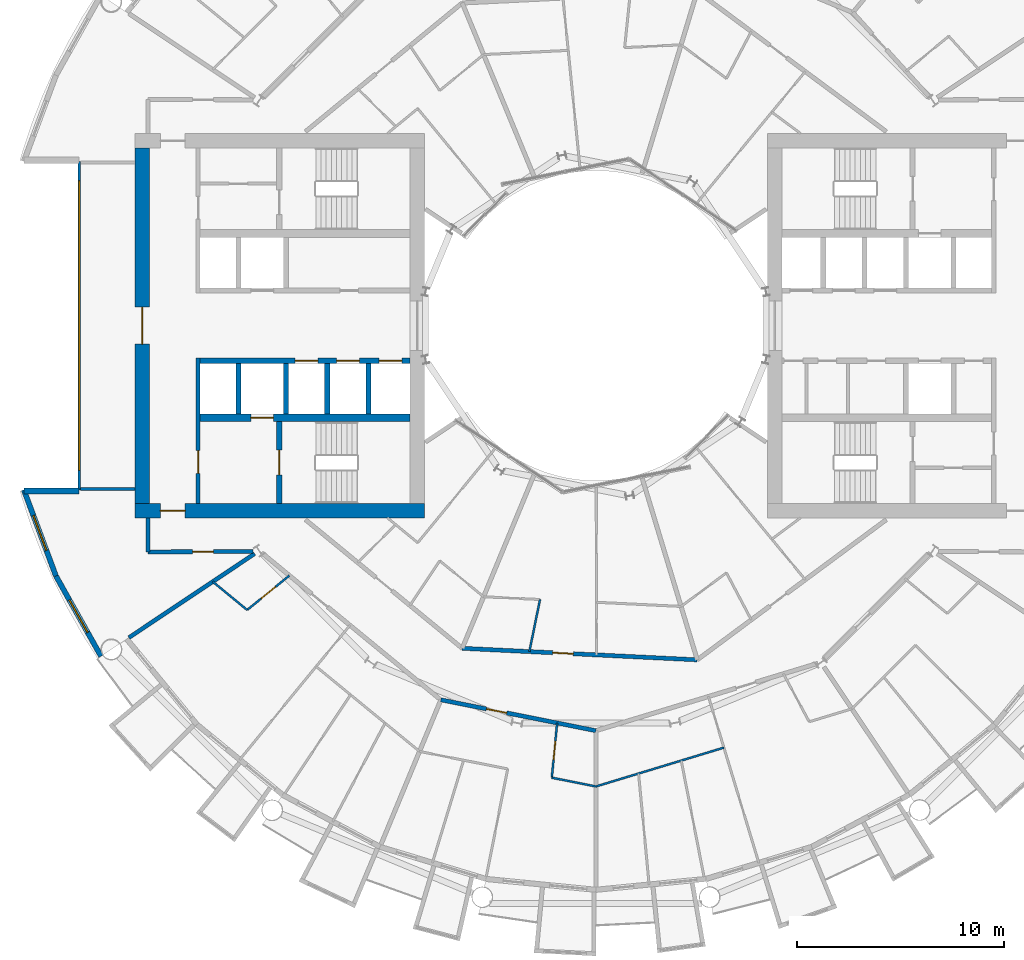
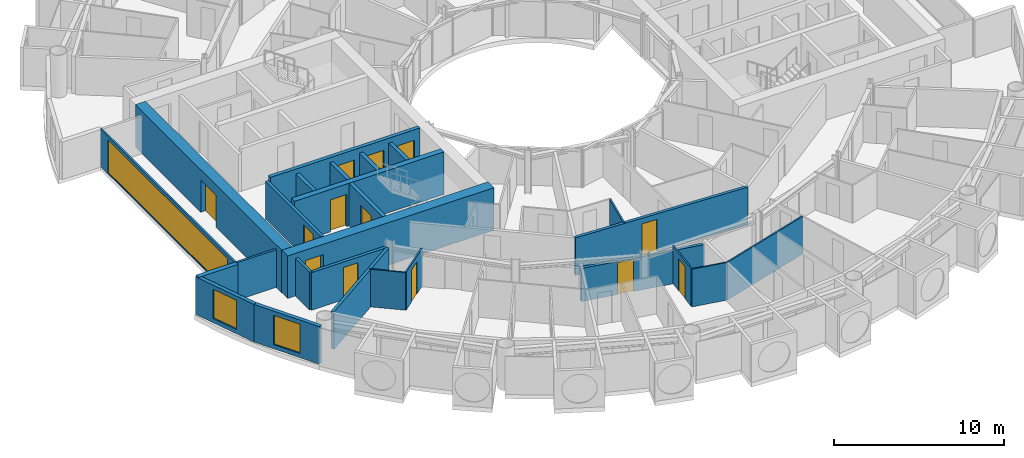
# One storey, part 14 of 26: 26 walls, 13 doors, 3 windows, 16 openings.
"""IFC4 building model written with IfcOpenShell, lengths in metres."""

from ifc_helpers import new_model, si_unit, direction, frame, frame_2d, origin, place, context, subcontext, project, spatial, rectangle, extrude, material, layer, layer_set, type_object, element, fill, save


model = new_model("IFC4")

# Units and contexts
model_context = context("Model", 3, precision=1e-05, world=origin(), true_north=direction((0.0, 1.0)))
body_context = subcontext(model_context, "Body", "Model", "MODEL_VIEW")
ifc_project = project(units=[si_unit("LENGTHUNIT", "METRE"), si_unit("AREAUNIT", "SQUARE_METRE"), si_unit("VOLUMEUNIT", "CUBIC_METRE"), si_unit("PLANEANGLEUNIT", "RADIAN"), si_unit("MASSUNIT", "GRAM", prefix="KILO")], contexts=[model_context])

# Site, building, storey
site_placement = place(None, origin())
site = spatial("IfcSite", under=ifc_project, at=site_placement, CompositionType="ELEMENT")
building_placement = place(site_placement, origin())
building = spatial("IfcBuilding", under=site, at=building_placement, Name="Maasbend Ring Residences", CompositionType="ELEMENT")
storey_placement = place(building_placement, frame((0.0, 0.0, 69.699951171875)))
storey = spatial("IfcBuildingStorey", under=building, at=storey_placement, Name="L19", CompositionType="ELEMENT", Elevation=69.699951171875)

# Wall, openings, doors
ifc_material_1 = material(Name="Concrete C70/85", Category="concrete")
ifc_layer_1 = layer(ifc_material_1, 0.25)
ifc_layer_set_1 = layer_set([ifc_layer_1], Name="Concrete C70/85")
wall_type_1 = type_object("IfcWallType", Name="CORE WALL 250 C70/85", PredefinedType="SHEAR", material=ifc_layer_set_1)
wall_1_placement = place(storey_placement, frame((-9.0, -1.699951171875, 0.0), z_axis=(0.0, 0.0, 1.0), x_axis=(-1.0, 0.0, 0.0)))
wall_1 = element("IfcWall", 1, at=wall_1_placement, inside=storey, type_object=wall_type_1, Name="L19 core W wall SPN", PredefinedType="SHEAR", context=body_context, shape_type="SweptSolid", body=[
    extrude(rectangle(XDim=10.14990234375, YDim=0.25, at=frame_2d((5.074951171875, 0.0))), origin(), (0.0, 0.0, 1.0), 3.050048828125),
])
opening_1_placement = place(wall_1_placement, frame((0.387451171875, 0.0, 0.0)))
opening_1 = element("IfcOpeningElement", 2, at=opening_1_placement, cuts=wall_1, Name="Opening LD-W1901", PredefinedType="OPENING", context=body_context, shape_type="SweptSolid", body=[
    extrude(rectangle(XDim=1.10009765625, YDim=2.300048828125, at=frame_2d((0.550048828125, 1.14990234375))), frame((0.0, 0.135009765625, 0.0), z_axis=(0.0, -1.0, 0.0), x_axis=(1.0, 0.0, 0.0)), (0.0, 0.0, 1.0), 0.27001953125),
])
opening_2_placement = place(wall_1_placement, frame((2.449951171875, 0.0, 0.0)))
opening_2 = element("IfcOpeningElement", 3, at=opening_2_placement, cuts=wall_1, Name="Opening LD-W1902", PredefinedType="OPENING", context=body_context, shape_type="SweptSolid", body=[
    extrude(rectangle(XDim=1.10009765625, YDim=2.300048828125, at=frame_2d((0.550048828125, 1.14990234375))), frame((0.0, 0.135009765625, 0.0), z_axis=(0.0, -1.0, 0.0), x_axis=(1.0, 0.0, 0.0)), (0.0, 0.0, 1.0), 0.27001953125),
])
opening_3_placement = place(wall_1_placement, frame((4.449951171875, 0.0, 0.0)))
opening_3 = element("IfcOpeningElement", 4, at=opening_3_placement, cuts=wall_1, Name="Opening LD-W1903", PredefinedType="OPENING", context=body_context, shape_type="SweptSolid", body=[
    extrude(rectangle(XDim=1.10009765625, YDim=2.300048828125, at=frame_2d((0.550048828125, 1.14990234375))), frame((0.0, 0.135009765625, 0.0), z_axis=(0.0, -1.0, 0.0), x_axis=(1.0, 0.0, 0.0)), (0.0, 0.0, 1.0), 0.27001953125),
])
ifc_material_2 = material(Name="Stainless steel 316", Category="steel")
door_type_1 = type_object("IfcDoorType", Name="LANDING DOOR 1100 X 2300 FD60", OperationType="DOUBLE_DOOR_SLIDING", PredefinedType="DOOR", material=ifc_material_2)
door_1_placement = place(opening_1_placement, origin())
door_1 = element("IfcDoor", 5, at=door_1_placement, inside=storey, type_object=door_type_1, Name="Landing door LR-W1 L19", OperationType="DOUBLE_DOOR_SLIDING", OverallHeight=2.300048828125, OverallWidth=1.10009765625, PredefinedType="DOOR", context=body_context, shape_type="SweptSolid", body=[
    extrude(rectangle(XDim=1.10009765625, YDim=2.300048828125, at=frame_2d((0.550048828125, 1.14990234375))), frame((0.0, 0.02490234375, 0.0), z_axis=(0.0, -1.0, 0.0), x_axis=(1.0, 0.0, 0.0)), (0.0, 0.0, 1.0), 0.050048828125),
])
fill(opening_1, door_1)
door_2_placement = place(opening_2_placement, origin())
door_2 = element("IfcDoor", 6, at=door_2_placement, inside=storey, type_object=door_type_1, Name="Landing door LR-W2 L19", OperationType="DOUBLE_DOOR_SLIDING", OverallHeight=2.300048828125, OverallWidth=1.10009765625, PredefinedType="DOOR", context=body_context, shape_type="SweptSolid", body=[
    extrude(rectangle(XDim=1.10009765625, YDim=2.300048828125, at=frame_2d((0.550048828125, 1.14990234375))), frame((0.0, 0.02490234375, 0.0), z_axis=(0.0, -1.0, 0.0), x_axis=(1.0, 0.0, 0.0)), (0.0, 0.0, 1.0), 0.050048828125),
])
fill(opening_2, door_2)
door_3_placement = place(opening_3_placement, origin())
door_3 = element("IfcDoor", 7, at=door_3_placement, inside=storey, type_object=door_type_1, Name="Landing door LR-W3 L19", OperationType="DOUBLE_DOOR_SLIDING", OverallHeight=2.300048828125, OverallWidth=1.10009765625, PredefinedType="DOOR", context=body_context, shape_type="SweptSolid", body=[
    extrude(rectangle(XDim=1.10009765625, YDim=2.300048828125, at=frame_2d((0.550048828125, 1.14990234375))), frame((0.0, 0.02490234375, 0.0), z_axis=(0.0, -1.0, 0.0), x_axis=(1.0, 0.0, 0.0)), (0.0, 0.0, 1.0), 0.050048828125),
])
fill(opening_3, door_3)

# Wall, opening, door
wall_2_placement = place(storey_placement, frame((-15.324951171875, -4.64990234375, 0.0), z_axis=(0.0, 0.0, 1.0), x_axis=(0.0, -1.0, 0.0)))
wall_2 = element("IfcWall", 8, at=wall_2_placement, inside=storey, type_object=wall_type_1, Name="L19 core W wall STEN", PredefinedType="SHEAR", context=body_context, shape_type="SweptSolid", body=[
    extrude(rectangle(XDim=3.9501953125, YDim=0.25, at=frame_2d((1.97509765625, 0.0))), origin(), (0.0, 0.0, 1.0), 3.050048828125),
])
opening_4_placement = place(wall_2_placement, frame((1.375, 0.0, 0.0)))
opening_4 = element("IfcOpeningElement", 9, at=opening_4_placement, cuts=wall_2, Name="Opening D-W1908", PredefinedType="OPENING", context=body_context, shape_type="SweptSolid", body=[
    extrude(rectangle(XDim=1.199951171875, YDim=2.300048828125, at=frame_2d((0.60009765625, 1.14990234375))), frame((0.0, 0.135009765625, 0.0), z_axis=(0.0, -1.0, 0.0), x_axis=(1.0, 0.0, 0.0)), (0.0, 0.0, 1.0), 0.27001953125),
])
ifc_material_3 = material(Name="Steel, powder coated", Category="steel")
door_type_2 = type_object("IfcDoorType", Name="STAIR DOOR 1200 X 2300 FD60", OperationType="NOTDEFINED", PredefinedType="DOOR", material=ifc_material_3)
door_4_placement = place(opening_4_placement, origin())
door_4 = element("IfcDoor", 10, at=door_4_placement, inside=storey, type_object=door_type_2, Name="Stair door ST-W L19", OperationType="SINGLE_SWING_LEFT", OverallHeight=2.300048828125, OverallWidth=1.199951171875, PredefinedType="DOOR", context=body_context, shape_type="SweptSolid", body=[
    extrude(rectangle(XDim=1.199951171875, YDim=2.300048828125, at=frame_2d((0.60009765625, 1.14990234375))), frame((0.0, 0.02490234375, 0.0), z_axis=(0.0, -1.0, 0.0), x_axis=(1.0, 0.0, 0.0)), (0.0, 0.0, 1.0), 0.050048828125),
])
fill(opening_4, door_4)

ifc_material_4 = material(Name="Concrete C70/85", Category="concrete")
ifc_layer_2 = layer(ifc_material_4, 0.375)
ifc_layer_set_2 = layer_set([ifc_layer_2], Name="Concrete C70/85")
wall_type_2 = type_object("IfcWallType", Name="CORE WALL 375 C70/85", PredefinedType="SHEAR", material=ifc_layer_set_2)
wall_3_placement = place(storey_placement, frame((-9.0, -4.46240234375, 0.0), z_axis=(0.0, 0.0, 1.0), x_axis=(-1.0, 0.0, 0.0)))
wall_3 = element("IfcWall", 11, at=wall_3_placement, inside=storey, type_object=wall_type_2, Name="L19 core W wall BN", PredefinedType="SHEAR", context=body_context, shape_type="SweptSolid", body=[
    extrude(rectangle(XDim=10.14990234375, YDim=0.375, at=frame_2d((5.074951171875, 0.0))), origin(), (0.0, 0.0, 1.0), 3.050048828125),
])
opening_5_placement = place(wall_3_placement, frame((6.60009765625, 0.0, 0.0)))
opening_5 = element("IfcOpeningElement", 12, at=opening_5_placement, cuts=wall_3, Name="Opening LD-W1904", PredefinedType="OPENING", context=body_context, shape_type="SweptSolid", body=[
    extrude(rectangle(XDim=1.10009765625, YDim=2.300048828125, at=frame_2d((0.550048828125, 1.14990234375))), frame((0.0, 0.197509765625, 0.0), z_axis=(0.0, -1.0, 0.0), x_axis=(1.0, 0.0, 0.0)), (0.0, 0.0, 1.0), 0.39501953125),
])
door_5_placement = place(opening_5_placement, origin())
door_5 = element("IfcDoor", 13, at=door_5_placement, inside=storey, type_object=door_type_1, Name="Landing door FF-W L19", OperationType="DOUBLE_DOOR_SLIDING", OverallHeight=2.300048828125, OverallWidth=1.10009765625, PredefinedType="DOOR", context=body_context, shape_type="SweptSolid", body=[
    extrude(rectangle(XDim=1.10009765625, YDim=2.300048828125, at=frame_2d((0.550048828125, 1.14990234375))), frame((0.0, 0.02490234375, 0.0), z_axis=(0.0, -1.0, 0.0), x_axis=(1.0, 0.0, 0.0)), (0.0, 0.0, 1.0), 0.050048828125),
])
fill(opening_5, door_5)

ifc_material_5 = material(Name="Concrete C70/85", Category="concrete")
ifc_layer_3 = layer(ifc_material_5, 0.699951171875)
ifc_layer_set_3 = layer_set([ifc_layer_3], Name="Concrete C70/85")
wall_type_3 = type_object("IfcWallType", Name="CORE WALL 700 C70/85", PredefinedType="SHEAR", material=ifc_layer_set_3)
wall_4_placement = place(storey_placement, frame((-22.300048828125, -8.949951171875, 0.0), z_axis=(0.0, 0.0, 1.0), x_axis=(1.0, 0.0, 0.0)))
wall_4 = element("IfcWall", 14, at=wall_4_placement, inside=storey, type_object=wall_type_3, Name="L19 core W wall PN", PredefinedType="SHEAR", context=body_context, shape_type="SweptSolid", body=[
    extrude(rectangle(XDim=14.0, YDim=0.699951171875, at=frame_2d((7.0, 0.0))), origin(), (0.0, 0.0, 1.0), 3.050048828125),
])
opening_6_placement = place(wall_4_placement, frame((1.22509765625, 0.0, 0.0)))
opening_6 = element("IfcOpeningElement", 15, at=opening_6_placement, cuts=wall_4, Name="Opening D-W1912", PredefinedType="OPENING", context=body_context, shape_type="SweptSolid", body=[
    extrude(rectangle(XDim=1.199951171875, YDim=2.300048828125, at=frame_2d((0.60009765625, 1.14990234375))), frame((0.0, 0.35986328125, 0.0), z_axis=(0.0, -1.0, 0.0), x_axis=(1.0, 0.0, 0.0)), (0.0, 0.0, 1.0), 0.719970703125),
])
ifc_material_6 = material(Name="Steel, powder coated", Category="steel")
door_type_3 = type_object("IfcDoorType", Name="CORRIDOR DOOR 1200 X 2300 FD30S", OperationType="NOTDEFINED", PredefinedType="DOOR", material=ifc_material_6)
door_6_placement = place(opening_6_placement, origin())
door_6 = element("IfcDoor", 16, at=door_6_placement, inside=storey, type_object=door_type_3, Name="Corridor door L19", OperationType="SINGLE_SWING_RIGHT", OverallHeight=2.300048828125, OverallWidth=1.199951171875, PredefinedType="DOOR", context=body_context, shape_type="SweptSolid", body=[
    extrude(rectangle(XDim=1.199951171875, YDim=2.300048828125, at=frame_2d((0.60009765625, 1.14990234375))), frame((0.0, 0.02490234375, 0.0), z_axis=(0.0, -1.0, 0.0), x_axis=(1.0, 0.0, 0.0)), (0.0, 0.0, 1.0), 0.050048828125),
])
fill(opening_6, door_6)

wall_5_placement = place(storey_placement, frame((-21.949951171875, -8.60009765625, 0.0), z_axis=(0.0, 0.0, 1.0), x_axis=(0.0, 1.0, 0.0)))
wall_5 = element("IfcWall", 17, at=wall_5_placement, inside=storey, type_object=wall_type_3, Name="L19 core W wall POUT", PredefinedType="SHEAR", context=body_context, shape_type="SweptSolid", body=[
    extrude(rectangle(XDim=17.2001953125, YDim=0.699951171875, at=frame_2d((8.60009765625, 0.0))), origin(), (0.0, 0.0, 1.0), 3.050048828125),
])
opening_7_placement = place(wall_5_placement, frame((7.699951171875, 0.0, 0.0)))
opening_7 = element("IfcOpeningElement", 18, at=opening_7_placement, cuts=wall_5, Name="Opening D-W1914", PredefinedType="OPENING", context=body_context, shape_type="SweptSolid", body=[
    extrude(rectangle(XDim=1.800048828125, YDim=2.300048828125, at=frame_2d((0.89990234375, 1.14990234375))), frame((0.0, 0.35986328125, 0.0), z_axis=(0.0, -1.0, 0.0), x_axis=(1.0, 0.0, 0.0)), (0.0, 0.0, 1.0), 0.719970703125),
])
ifc_material_7 = material(Name="Aluminium frame, clear glass", Category="aluminium")
door_type_4 = type_object("IfcDoorType", Name="ENTRANCE DOOR 1800 X 2300 FD60", OperationType="NOTDEFINED", PredefinedType="DOOR", material=ifc_material_7)
door_7_placement = place(opening_7_placement, origin())
door_7 = element("IfcDoor", 19, at=door_7_placement, inside=storey, type_object=door_type_4, Name="Lobby glazed door L19", OperationType="SINGLE_SWING_LEFT", OverallHeight=2.300048828125, OverallWidth=1.800048828125, PredefinedType="DOOR", context=body_context, shape_type="SweptSolid", body=[
    extrude(rectangle(XDim=1.800048828125, YDim=2.300048828125, at=frame_2d((0.89990234375, 1.14990234375))), frame((0.0, 0.02490234375, 0.0), z_axis=(0.0, -1.0, 0.0), x_axis=(1.0, 0.0, 0.0)), (0.0, 0.0, 1.0), 0.050048828125),
])
fill(opening_7, door_7)

ifc_material_8 = material(Name="Concrete C30/37", Category="concrete")
ifc_layer_4 = layer(ifc_material_8, 0.199951171875)
ifc_layer_set_4 = layer_set([ifc_layer_4], Name="Concrete C30/37")
wall_type_4 = type_object("IfcWallType", Name="CORRIDOR WALL 200 CONCRETE", PredefinedType="PARTITIONING", material=ifc_layer_set_4)
wall_6_placement = place(storey_placement, frame((-7.5009765625, -18.10791015625, 0.0), z_axis=(0.0, 0.0, 1.0), x_axis=(0.980781515054, -0.195109250749, 0.0)))
wall_6 = element("IfcWall", 20, at=wall_6_placement, inside=storey, type_object=wall_type_4, Name="U-L19-w011", PredefinedType="PARTITIONING", context=body_context, shape_type="SweptSolid", body=[
    extrude(rectangle(XDim=7.64794921875, YDim=0.199951171875, at=frame_2d((3.823974609375, 0.0))), origin(), (0.0, 0.0, 1.0), 2.380126953125),
])
opening_8_placement = place(wall_6_placement, frame((2.25, 0.0, 0.0)))
opening_8 = element("IfcOpeningElement", 21, at=opening_8_placement, cuts=wall_6, Name="Opening D-1939", PredefinedType="OPENING", context=body_context, shape_type="SweptSolid", body=[
    extrude(rectangle(XDim=1.0, YDim=2.300048828125, at=frame_2d((0.5, 1.14990234375))), frame((0.0, 0.10986328125, 0.0), z_axis=(0.0, -1.0, 0.0), x_axis=(1.0, 0.0, 0.0)), (0.0, 0.0, 1.0), 0.219970703125),
])
ifc_material_9 = material(Name="Timber, fire-rated, painted", Category="wood")
door_type_5 = type_object("IfcDoorType", Name="FLAT ENTRANCE DOOR 1000 X 2300 FIRE-RATED", OperationType="NOTDEFINED", PredefinedType="DOOR", material=ifc_material_9)
door_8_placement = place(opening_8_placement, origin())
door_8 = element("IfcDoor", 22, at=door_8_placement, inside=storey, type_object=door_type_5, Name="D-1939", OperationType="SINGLE_SWING_LEFT", OverallHeight=2.300048828125, OverallWidth=1.0, PredefinedType="DOOR", context=body_context, shape_type="SweptSolid", body=[
    extrude(rectangle(XDim=1.0, YDim=2.300048828125, at=frame_2d((0.5, 1.14990234375))), frame((0.0, 0.02490234375, 0.0), z_axis=(0.0, -1.0, 0.0), x_axis=(1.0, 0.0, 0.0)), (0.0, 0.0, 1.0), 0.050048828125),
])
fill(opening_8, door_8)

wall_7_placement = place(storey_placement, frame((-6.468994140625, -15.614013671875, 0.0), z_axis=(0.0, 0.0, 1.0), x_axis=(0.998798520108, -0.049005267363, 0.0)))
wall_7 = element("IfcWall", 23, at=wall_7_placement, inside=storey, type_object=wall_type_4, Name="U-L19-w016", PredefinedType="PARTITIONING", context=body_context, shape_type="SweptSolid", body=[
    extrude(rectangle(XDim=11.388671875, YDim=0.199951171875, at=frame_2d((5.6943359375, 0.0))), origin(), (0.0, 0.0, 1.0), 2.699951171875),
])
opening_9_placement = place(wall_7_placement, frame((4.383056640625, 0.0, 0.0)))
opening_9 = element("IfcOpeningElement", 24, at=opening_9_placement, cuts=wall_7, Name="Opening D-1957", PredefinedType="OPENING", context=body_context, shape_type="SweptSolid", body=[
    extrude(rectangle(XDim=1.0, YDim=2.300048828125, at=frame_2d((0.5, 1.14990234375))), frame((0.0, 0.10986328125, 0.0), z_axis=(0.0, -1.0, 0.0), x_axis=(1.0, 0.0, 0.0)), (0.0, 0.0, 1.0), 0.219970703125),
])
door_9_placement = place(opening_9_placement, origin())
door_9 = element("IfcDoor", 25, at=door_9_placement, inside=storey, type_object=door_type_5, Name="D-1957", OperationType="SINGLE_SWING_LEFT", OverallHeight=2.300048828125, OverallWidth=1.0, PredefinedType="DOOR", context=body_context, shape_type="SweptSolid", body=[
    extrude(rectangle(XDim=1.0, YDim=2.300048828125, at=frame_2d((0.5, 1.14990234375))), frame((0.0, 0.02490234375, 0.0), z_axis=(0.0, -1.0, 0.0), x_axis=(1.0, 0.0, 0.0)), (0.0, 0.0, 1.0), 0.050048828125),
])
fill(opening_9, door_9)

wall_8_placement = place(storey_placement, frame((-21.675048828125, -10.949951171875, 0.0), z_axis=(0.0, 0.0, 1.0), x_axis=(0.999988944514, 0.004702217579, 0.0)))
wall_8 = element("IfcWall", 26, at=wall_8_placement, inside=storey, type_object=wall_type_4, Name="U-L19-w024", PredefinedType="PARTITIONING", context=body_context, shape_type="SweptSolid", body=[
    extrude(rectangle(XDim=5.088134765625, YDim=0.199951171875, at=frame_2d((2.5439453125, 0.0))), origin(), (0.0, 0.0, 1.0), 2.699951171875),
])
opening_10_placement = place(wall_8_placement, frame((2.162109375, 0.0, 0.0)))
opening_10 = element("IfcOpeningElement", 27, at=opening_10_placement, cuts=wall_8, Name="Opening D-1965", PredefinedType="OPENING", context=body_context, shape_type="SweptSolid", body=[
    extrude(rectangle(XDim=1.0, YDim=2.300048828125, at=frame_2d((0.5, 1.14990234375))), frame((0.0, 0.10986328125, 0.0), z_axis=(0.0, -1.0, 0.0), x_axis=(1.0, 0.0, 0.0)), (0.0, 0.0, 1.0), 0.219970703125),
])
ifc_material_10 = material(Name="Timber, painted", Category="wood")
door_type_6 = type_object("IfcDoorType", Name="ROOM DOOR 1000 X 2300", OperationType="NOTDEFINED", PredefinedType="DOOR", material=ifc_material_10)
door_10_placement = place(opening_10_placement, origin())
door_10 = element("IfcDoor", 28, at=door_10_placement, inside=storey, type_object=door_type_6, Name="D-1965", OperationType="SINGLE_SWING_RIGHT", OverallHeight=2.300048828125, OverallWidth=1.0, PredefinedType="DOOR", context=body_context, shape_type="SweptSolid", body=[
    extrude(rectangle(XDim=1.0, YDim=2.300048828125, at=frame_2d((0.5, 1.14990234375))), frame((0.0, 0.02490234375, 0.0), z_axis=(0.0, -1.0, 0.0), x_axis=(1.0, 0.0, 0.0)), (0.0, 0.0, 1.0), 0.050048828125),
])
fill(opening_10, door_10)

# Wall
wall_9_placement = place(storey_placement, frame((-21.675048828125, -10.949951171875, 0.0), z_axis=(0.0, 0.0, 1.0), x_axis=(0.0, 1.0, 0.0)))
element("IfcWall", 29, at=wall_9_placement, inside=storey, type_object=wall_type_4, Name="U-L19-w105", PredefinedType="PARTITIONING", context=body_context, shape_type="SweptSolid", body=[
    extrude(rectangle(XDim=1.64990234375, YDim=0.199951171875, at=frame_2d((0.824951171875, 0.0))), origin(), (0.0, 0.0, 1.0), 2.699951171875),
])

# Wall, opening, window
ifc_material_11 = material(Name="Aluminium clad insulated panel", Category="aluminium")
ifc_layer_5 = layer(ifc_material_11, 0.25)
ifc_layer_set_5 = layer_set([ifc_layer_5], Name="EW-HORN")
wall_type_5 = type_object("IfcWallType", Name="EW-HORN", PredefinedType="SOLIDWALL", material=ifc_layer_set_5)
wall_10_placement = place(storey_placement, frame((-27.681884765625, -7.945068359375, 0.0), z_axis=(0.0, 0.0, 1.0), x_axis=(0.349247811493, -0.937030397675, 0.0)))
wall_10 = element("IfcWall", 30, at=wall_10_placement, inside=storey, type_object=wall_type_5, Name="Horn wall 3.1", PredefinedType="SOLIDWALL", context=body_context, shape_type="SweptSolid", body=[
    extrude(rectangle(XDim=4.4521484375, YDim=0.25, at=frame_2d((2.22607421875, 0.0))), origin(), (0.0, 0.0, 1.0), 2.699951171875),
])
opening_11_placement = place(wall_10_placement, frame((1.32666015625, 0.0, 0.300048828125)))
opening_11 = element("IfcOpeningElement", 31, at=opening_11_placement, cuts=wall_10, Name="Opening W-BX", PredefinedType="OPENING", context=body_context, shape_type="SweptSolid", body=[
    extrude(rectangle(XDim=1.800048828125, YDim=2.10009765625, at=frame_2d((0.89990234375, 1.050048828125))), frame((0.0, 0.135009765625, 0.0), z_axis=(0.0, -1.0, 0.0), x_axis=(1.0, 0.0, 0.0)), (0.0, 0.0, 1.0), 0.27001953125),
])
ifc_material_12 = material(Name="Aluminium and clear glass", Category="aluminium")
window_type_1 = type_object("IfcWindowType", Name="W-BX", PartitioningType="DOUBLE_PANEL_VERTICAL", PredefinedType="WINDOW", material=ifc_material_12)
window_1_placement = place(opening_11_placement, origin())
window_1 = element("IfcWindow", 32, at=window_1_placement, inside=storey, type_object=window_type_1, Name="Horn window 3.1", OverallHeight=2.10009765625, OverallWidth=1.800048828125, PartitioningType="SINGLE_PANEL", PredefinedType="WINDOW", context=body_context, shape_type="SweptSolid", body=[
    extrude(rectangle(XDim=1.800048828125, YDim=2.10009765625, at=frame_2d((0.89990234375, 1.050048828125))), frame((0.0, 0.030029296875, 0.0), z_axis=(0.0, -1.0, 0.0), x_axis=(1.0, 0.0, 0.0)), (0.0, 0.0, 1.0), 0.06005859375),
])
fill(opening_11, window_1)

wall_11_placement = place(storey_placement, frame((-26.126953125, -12.116943359375, 0.0), z_axis=(0.0, 0.0, 1.0), x_axis=(0.489696356642, -0.871893042919, 0.0)))
wall_11 = element("IfcWall", 33, at=wall_11_placement, inside=storey, type_object=wall_type_5, Name="Horn wall 3.2", PredefinedType="SOLIDWALL", context=body_context, shape_type="SweptSolid", body=[
    extrude(rectangle(XDim=4.45361328125, YDim=0.25, at=frame_2d((2.226806640625, 0.0))), origin(), (0.0, 0.0, 1.0), 2.699951171875),
])
opening_12_placement = place(wall_11_placement, frame((1.32666015625, 0.0, 0.300048828125)))
opening_12 = element("IfcOpeningElement", 34, at=opening_12_placement, cuts=wall_11, Name="Opening W-BX", PredefinedType="OPENING", context=body_context, shape_type="SweptSolid", body=[
    extrude(rectangle(XDim=1.800048828125, YDim=2.10009765625, at=frame_2d((0.89990234375, 1.050048828125))), frame((0.0, 0.135009765625, 0.0), z_axis=(0.0, -1.0, 0.0), x_axis=(1.0, 0.0, 0.0)), (0.0, 0.0, 1.0), 0.27001953125),
])
window_2_placement = place(opening_12_placement, origin())
window_2 = element("IfcWindow", 35, at=window_2_placement, inside=storey, type_object=window_type_1, Name="Horn window 3.2", OverallHeight=2.10009765625, OverallWidth=1.800048828125, PartitioningType="SINGLE_PANEL", PredefinedType="WINDOW", context=body_context, shape_type="SweptSolid", body=[
    extrude(rectangle(XDim=1.800048828125, YDim=2.10009765625, at=frame_2d((0.89990234375, 1.050048828125))), frame((0.0, 0.030029296875, 0.0), z_axis=(0.0, -1.0, 0.0), x_axis=(1.0, 0.0, 0.0)), (0.0, 0.0, 1.0), 0.06005859375),
])
fill(opening_12, window_2)

# Wall
ifc_material_13 = material(Name="Aluminium clad insulated panel", Category="aluminium")
ifc_layer_6 = layer(ifc_material_13, 0.300048828125)
ifc_layer_set_6 = layer_set([ifc_layer_6], Name="EW-RET")
wall_type_6 = type_object("IfcWallType", Name="EW-RET", PredefinedType="SOLIDWALL", material=ifc_layer_set_6)
wall_12_placement = place(storey_placement, frame((-25.0, -8.0, 0.0), z_axis=(0.0, 0.0, 1.0), x_axis=(-1.0, 0.0, 0.0)))
element("IfcWall", 36, at=wall_12_placement, inside=storey, type_object=wall_type_6, Name="Notch return wall west south", PredefinedType="SOLIDWALL", context=body_context, shape_type="SweptSolid", body=[
    extrude(rectangle(XDim=2.6669921875, YDim=0.300048828125, at=frame_2d((1.33349609375, 0.0))), origin(), (0.0, 0.0, 1.0), 2.699951171875),
])

# Wall, opening, window
ifc_material_14 = material(Name="Aluminium frame and clear glass", Category="aluminium")
ifc_layer_7 = layer(ifc_material_14, 0.1201171875)
ifc_layer_set_7 = layer_set([ifc_layer_7], Name="GLAZED SCREEN WALL 120 EI 60")
wall_type_7 = type_object("IfcWallType", Name="GLAZED SCREEN WALL 120 EI 60", PredefinedType="PARTITIONING", material=ifc_layer_set_7)
wall_13_placement = place(storey_placement, frame((-25.0, 7.949951171875, 0.0), z_axis=(0.0, 0.0, 1.0), x_axis=(0.0, -1.0, 0.0)))
wall_13 = element("IfcWall", 37, at=wall_13_placement, inside=storey, type_object=wall_type_7, Name="L19 core W wall FACE", PredefinedType="PARTITIONING", context=body_context, shape_type="SweptSolid", body=[
    extrude(rectangle(XDim=15.89990234375, YDim=0.1201171875, at=frame_2d((7.949951171875, 0.0))), origin(), (0.0, 0.0, 1.0), 2.699951171875),
])
opening_13_placement = place(wall_13_placement, frame((0.949951171875, 0.0, 0.10009765625)))
opening_13 = element("IfcOpeningElement", 38, at=opening_13_placement, cuts=wall_13, Name="Opening W-W1902", PredefinedType="OPENING", context=body_context, shape_type="SweptSolid", body=[
    extrude(rectangle(XDim=14.0, YDim=2.35009765625, at=frame_2d((7.0, 1.175048828125))), frame((0.0, 0.070068359375, 0.0), z_axis=(0.0, -1.0, 0.0), x_axis=(1.0, 0.0, 0.0)), (0.0, 0.0, 1.0), 0.14013671875),
])
ifc_material_15 = material(Name="Aluminium frame and clear glass", Category="aluminium")
window_type_2 = type_object("IfcWindowType", Name="FIXED WINDOW 14000 X 2350", PartitioningType="SINGLE_PANEL", PredefinedType="WINDOW", material=ifc_material_15)
window_3_placement = place(opening_13_placement, origin())
window_3 = element("IfcWindow", 39, at=window_3_placement, inside=storey, type_object=window_type_2, Name="Lobby window L19", OverallHeight=2.35009765625, OverallWidth=14.0, PartitioningType="SINGLE_PANEL", PredefinedType="WINDOW", context=body_context, shape_type="SweptSolid", body=[
    extrude(rectangle(XDim=14.0, YDim=2.35009765625, at=frame_2d((7.0, 1.175048828125))), frame((0.0, 0.030029296875, 0.0), z_axis=(0.0, -1.0, 0.0), x_axis=(1.0, 0.0, 0.0)), (0.0, 0.0, 1.0), 0.06005859375),
])
fill(opening_13, window_3)

# Walls
ifc_material_16 = material(Name="Gypsum board on steel studs", Category="steel")
ifc_layer_8 = layer(ifc_material_16, 0.10009765625)
ifc_layer_set_8 = layer_set([ifc_layer_8], Name="PARTITION 100 GYPSUM")
wall_type_8 = type_object("IfcWallType", Name="PARTITION 100 GYPSUM", PredefinedType="PARTITIONING", material=ifc_layer_set_8)
wall_14_placement = place(storey_placement, frame((-2.133056640625, -21.8759765625, 0.0), z_axis=(0.0, 0.0, 1.0), x_axis=(0.980804550577, -0.194993419292, 0.0)))
element("IfcWall", 40, at=wall_14_placement, inside=storey, type_object=wall_type_8, Name="U-L19-w002", PredefinedType="PARTITIONING", context=body_context, shape_type="SweptSolid", body=[
    extrude(rectangle(XDim=2.1748046875, YDim=0.10009765625, at=frame_2d((1.08740234375, 0.0))), origin(), (0.0, 0.0, 1.0), 2.699951171875),
])
wall_15_placement = place(storey_placement, frame((-18.5419921875, -12.388916015625, 0.0), z_axis=(0.0, 0.0, 1.0), x_axis=(0.772948171844, -0.634469166818, 0.0)))
element("IfcWall", 41, at=wall_15_placement, inside=storey, type_object=wall_type_8, Name="U-L19-w007", PredefinedType="PARTITIONING", context=body_context, shape_type="SweptSolid", body=[
    extrude(rectangle(XDim=2.157958984375, YDim=0.10009765625, at=frame_2d((1.0791015625, 0.0))), origin(), (0.0, 0.0, 1.0), 2.699951171875),
])
wall_16_placement = place(storey_placement, frame((0.0, -22.300048828125, 0.0), z_axis=(0.0, 0.0, 1.0), x_axis=(0.956940987612, 0.290282528286, 0.0)))
element("IfcWall", 42, at=wall_16_placement, inside=storey, type_object=wall_type_8, Name="U-L19-w009", PredefinedType="PARTITIONING", context=body_context, shape_type="SweptSolid", body=[
    extrude(rectangle(XDim=6.476806640625, YDim=0.10009765625, at=frame_2d((3.23828125, 0.0))), origin(), (0.0, 0.0, 1.0), 2.699951171875),
])

# Wall, opening, door
wall_17_placement = place(storey_placement, frame((-16.8740234375, -13.758056640625, 0.0), z_axis=(0.0, 0.0, 1.0), x_axis=(0.774979608522, 0.631986239072, 0.0)))
wall_17 = element("IfcWall", 43, at=wall_17_placement, inside=storey, type_object=wall_type_8, Name="U-L19-w035", PredefinedType="PARTITIONING", context=body_context, shape_type="SweptSolid", body=[
    extrude(rectangle(XDim=2.63623046875, YDim=0.10009765625, at=frame_2d((1.318115234375, 0.0))), origin(), (0.0, 0.0, 1.0), 2.699951171875),
])
opening_14_placement = place(wall_17_placement, frame((0.867919921875, 0.0, 0.0)))
opening_14 = element("IfcOpeningElement", 44, at=opening_14_placement, cuts=wall_17, Name="Opening D-1934", PredefinedType="OPENING", context=body_context, shape_type="SweptSolid", body=[
    extrude(rectangle(XDim=0.89990234375, YDim=2.300048828125, at=frame_2d((0.449951171875, 1.14990234375))), frame((0.0, 0.06005859375, 0.0), z_axis=(0.0, -1.0, 0.0), x_axis=(1.0, 0.0, 0.0)), (0.0, 0.0, 1.0), 0.1201171875),
])
ifc_material_17 = material(Name="Timber, painted", Category="wood")
door_type_7 = type_object("IfcDoorType", Name="INTERNAL DOOR 900 X 2300", OperationType="NOTDEFINED", PredefinedType="DOOR", material=ifc_material_17)
door_11_placement = place(opening_14_placement, origin())
door_11 = element("IfcDoor", 45, at=door_11_placement, inside=storey, type_object=door_type_7, Name="D-1934", OperationType="SINGLE_SWING_LEFT", OverallHeight=2.300048828125, OverallWidth=0.89990234375, PredefinedType="DOOR", context=body_context, shape_type="SweptSolid", body=[
    extrude(rectangle(XDim=0.89990234375, YDim=2.300048828125, at=frame_2d((0.449951171875, 1.14990234375))), frame((0.0, 0.02490234375, 0.0), z_axis=(0.0, -1.0, 0.0), x_axis=(1.0, 0.0, 0.0)), (0.0, 0.0, 1.0), 0.050048828125),
])
fill(opening_14, door_11)

# Wall
wall_18_placement = place(storey_placement, frame((-3.218017578125, -15.77294921875, 0.0), z_axis=(0.0, 0.0, 1.0), x_axis=(0.199820523641, 0.979832515449, 0.0)))
element("IfcWall", 46, at=wall_18_placement, inside=storey, type_object=wall_type_8, Name="U-L19-w055", PredefinedType="PARTITIONING", context=body_context, shape_type="SweptSolid", body=[
    extrude(rectangle(XDim=2.57177734375, YDim=0.10009765625, at=frame_2d((1.285888671875, 0.0))), origin(), (0.0, 0.0, 1.0), 2.699951171875),
])

# Wall, opening, door
wall_19_placement = place(storey_placement, frame((-2.133056640625, -21.8759765625, 0.0), z_axis=(0.0, 0.0, 1.0), x_axis=(0.096960338807, 0.995288246036, 0.0)))
wall_19 = element("IfcWall", 47, at=wall_19_placement, inside=storey, type_object=wall_type_8, Name="U-L19-w057", PredefinedType="PARTITIONING", context=body_context, shape_type="SweptSolid", body=[
    extrude(rectangle(XDim=2.661376953125, YDim=0.10009765625, at=frame_2d((1.33056640625, 0.0))), origin(), (0.0, 0.0, 1.0), 2.699951171875),
])
opening_15_placement = place(wall_19_placement, frame((0.881103515625, 0.0, 0.0)))
opening_15 = element("IfcOpeningElement", 48, at=opening_15_placement, cuts=wall_19, Name="Opening D-1940", PredefinedType="OPENING", context=body_context, shape_type="SweptSolid", body=[
    extrude(rectangle(XDim=0.89990234375, YDim=2.300048828125, at=frame_2d((0.449951171875, 1.14990234375))), frame((0.0, 0.06005859375, 0.0), z_axis=(0.0, -1.0, 0.0), x_axis=(1.0, 0.0, 0.0)), (0.0, 0.0, 1.0), 0.1201171875),
])
door_12_placement = place(opening_15_placement, origin())
door_12 = element("IfcDoor", 49, at=door_12_placement, inside=storey, type_object=door_type_7, Name="D-1940", OperationType="SINGLE_SWING_LEFT", OverallHeight=2.300048828125, OverallWidth=0.89990234375, PredefinedType="DOOR", context=body_context, shape_type="SweptSolid", body=[
    extrude(rectangle(XDim=0.89990234375, YDim=2.300048828125, at=frame_2d((0.449951171875, 1.14990234375))), frame((0.0, 0.02490234375, 0.0), z_axis=(0.0, -1.0, 0.0), x_axis=(1.0, 0.0, 0.0)), (0.0, 0.0, 1.0), 0.050048828125),
])
fill(opening_15, door_12)

# Walls
ifc_material_18 = material(Name="Gypsum board on steel studs", Category="steel")
ifc_layer_9 = layer(ifc_material_18, 0.14990234375)
ifc_layer_set_9 = layer_set([ifc_layer_9], Name="PARTITION 150 EI 60")
wall_type_9 = type_object("IfcWallType", Name="PARTITION 150 EI 60", PredefinedType="PARTITIONING", material=ifc_layer_set_9)
wall_20_placement = place(storey_placement, frame((-22.300048828125, -7.89990234375, 0.0), z_axis=(0.0, 0.0, 1.0), x_axis=(-1.0, 0.0, 0.0)))
element("IfcWall", 50, at=wall_20_placement, inside=storey, type_object=wall_type_9, Name="L19 core W wall CITN", PredefinedType="PARTITIONING", context=body_context, shape_type="SweptSolid", body=[
    extrude(rectangle(XDim=2.639892578125, YDim=0.14990234375, at=frame_2d((1.31982421875, 0.0))), origin(), (0.0, 0.0, 1.0), 2.699951171875),
])
ifc_material_19 = material(Name="Concrete C30/37", Category="concrete")
ifc_layer_10 = layer(ifc_material_19, 0.199951171875)
ifc_layer_set_10 = layer_set([ifc_layer_10], Name="Concrete C30/37")
wall_type_10 = type_object("IfcWallType", Name="PARTY WALL 200 CONCRETE", PredefinedType="PARTITIONING", material=ifc_layer_set_10)
wall_21_placement = place(storey_placement, frame((-22.594970703125, -15.096923828125, 0.0), z_axis=(0.0, 0.0, 1.0), x_axis=(0.831505405283, 0.555516661303, 0.0)))
element("IfcWall", 51, at=wall_21_placement, inside=storey, type_object=wall_type_10, Name="U-L19-w030", PredefinedType="PARTITIONING", context=body_context, shape_type="SweptSolid", body=[
    extrude(rectangle(XDim=7.31201171875, YDim=0.199951171875, at=frame_2d((3.656005859375, 0.0))), origin(), (0.0, 0.0, 1.0), 2.699951171875),
])

# Wall, opening, door
ifc_material_20 = material(Name="Concrete C30/37", Category="concrete")
ifc_layer_11 = layer(ifc_material_20, 0.199951171875)
ifc_layer_set_11 = layer_set([ifc_layer_11], Name="Concrete C30/37")
wall_type_11 = type_object("IfcWallType", Name="SHAFT WALL 200 EI 120", PredefinedType="SOLIDWALL", material=ifc_layer_set_11)
wall_22_placement = place(storey_placement, frame((-19.25, -1.574951171875, 0.0), z_axis=(0.0, 0.0, 1.0), x_axis=(0.0, -1.0, 0.0)))
wall_22 = element("IfcWall", 52, at=wall_22_placement, inside=storey, type_object=wall_type_11, Name="L19 core W wall ENDN", PredefinedType="SOLIDWALL", context=body_context, shape_type="SweptSolid", body=[
    extrude(rectangle(XDim=7.025146484375, YDim=0.199951171875, at=frame_2d((3.5126953125, 0.0))), origin(), (0.0, 0.0, 1.0), 2.699951171875),
])
opening_16_placement = place(wall_22_placement, frame((4.47509765625, 0.0, 0.0)))
opening_16 = element("IfcOpeningElement", 53, at=opening_16_placement, cuts=wall_22, Name="Opening D-W1910", PredefinedType="OPENING", context=body_context, shape_type="SweptSolid", body=[
    extrude(rectangle(XDim=1.10009765625, YDim=2.300048828125, at=frame_2d((0.550048828125, 1.14990234375))), frame((0.0, 0.10986328125, 0.0), z_axis=(0.0, -1.0, 0.0), x_axis=(1.0, 0.0, 0.0)), (0.0, 0.0, 1.0), 0.219970703125),
])
ifc_material_21 = material(Name="Steel, powder coated", Category="steel")
door_type_8 = type_object("IfcDoorType", Name="LOBBY DOOR 1100 X 2300 FD60", OperationType="NOTDEFINED", PredefinedType="DOOR", material=ifc_material_21)
door_13_placement = place(opening_16_placement, origin())
door_13 = element("IfcDoor", 54, at=door_13_placement, inside=storey, type_object=door_type_8, Name="Lobby door L19", OperationType="SINGLE_SWING_LEFT", OverallHeight=2.300048828125, OverallWidth=1.10009765625, PredefinedType="DOOR", context=body_context, shape_type="SweptSolid", body=[
    extrude(rectangle(XDim=1.10009765625, YDim=2.300048828125, at=frame_2d((0.550048828125, 1.14990234375))), frame((0.0, 0.02490234375, 0.0), z_axis=(0.0, -1.0, 0.0), x_axis=(1.0, 0.0, 0.0)), (0.0, 0.0, 1.0), 0.050048828125),
])
fill(opening_16, door_13)

# Walls
ifc_material_22 = material(Name="Concrete C30/37", Category="concrete")
ifc_layer_12 = layer(ifc_material_22, 0.25)
ifc_layer_set_12 = layer_set([ifc_layer_12], Name="Concrete C30/37")
wall_type_12 = type_object("IfcWallType", Name="SHAFT WALL 250 EI 120", PredefinedType="SOLIDWALL", material=ifc_layer_set_12)
for number, where, z_axis, x_axis, name in (
    (55, (-15.0, -1.824951171875, 0.0), (0.0, 0.0, 1.0), (0.0, -1.0, 0.0), "L19 core W wall D150N"),
    (56, (-17.300048828125, -1.824951171875, 0.0), (0.0, 0.0, 1.0), (0.0, -1.0, 0.0), "L19 core W wall D173N"),
    (57, (-11.0, -1.824951171875, 0.0), (0.0, 0.0, 1.0), (0.0, -1.0, 0.0), "L19 core W wall D110N"),
    (58, (-13.0, -1.824951171875, 0.0), (0.0, 0.0, 1.0), (0.0, -1.0, 0.0), "L19 core W wall D130N"),
):
    element("IfcWall", number, at=place(storey_placement, frame(where, z_axis=z_axis, x_axis=x_axis)), inside=storey, type_object=wall_type_12, Name=name, PredefinedType="SOLIDWALL", context=body_context, shape_type="SweptSolid", body=[
        extrude(rectangle(XDim=2.449951171875, YDim=0.25, at=frame_2d((1.22509765625, 0.0))), origin(), (0.0, 0.0, 1.0), 2.699951171875),
    ])

save(model, "model.ifc")
